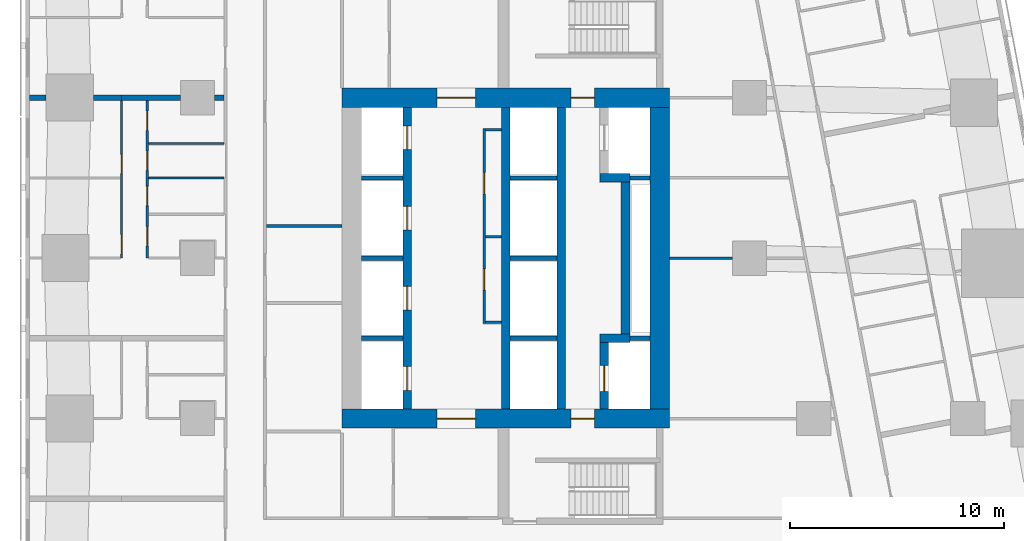
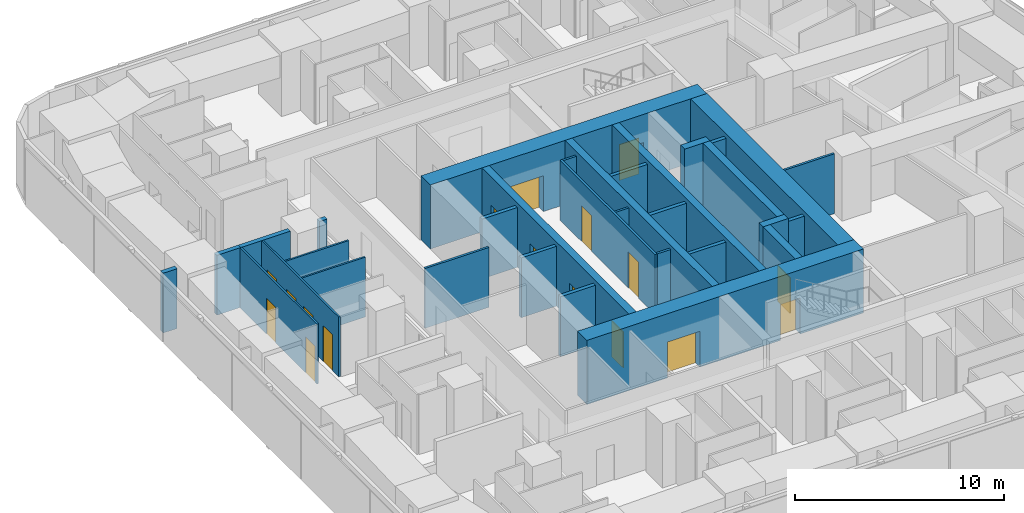
# One storey, part 6 of 16: 32 walls, 17 doors, 17 openings.
"""IFC4 building model written with IfcOpenShell, lengths in metres."""

from ifc_helpers import new_model, si_unit, direction, frame, frame_2d, origin, place, context, subcontext, project, spatial, rectangle, extrude, material, layer, layer_set, type_object, element, fill, save


model = new_model("IFC4")

# Units and contexts
model_context = context("Model", 3, precision=1e-05, world=origin(), true_north=direction((0.0, 1.0)))
body_context = subcontext(model_context, "Body", "Model", "MODEL_VIEW")
ifc_project = project(units=[si_unit("LENGTHUNIT", "METRE"), si_unit("AREAUNIT", "SQUARE_METRE"), si_unit("VOLUMEUNIT", "CUBIC_METRE"), si_unit("PLANEANGLEUNIT", "RADIAN"), si_unit("MASSUNIT", "GRAM", prefix="KILO")], contexts=[model_context])

# Site, building, storey
site_placement = place(None, origin())
site = spatial("IfcSite", under=ifc_project, at=site_placement, CompositionType="ELEMENT")
building_placement = place(site_placement, origin())
building = spatial("IfcBuilding", under=site, at=building_placement, Name="Sheger Commons Tower", CompositionType="ELEMENT")
storey_placement = place(building_placement, frame((0.0, 0.0, 89.14990234375)))
storey = spatial("IfcBuildingStorey", under=building, at=storey_placement, Name="L22", CompositionType="ELEMENT", Elevation=89.14990234375)

# Wall, openings, doors
ifc_material_1 = material(Name="Concrete C50/60", Category="concrete")
ifc_layer_1 = layer(ifc_material_1, 0.39990234375)
ifc_layer_set_1 = layer_set([ifc_layer_1], Name="CORE INNER WALL 400")
wall_type_1 = type_object("IfcWallType", Name="CORE INNER WALL 400", PredefinedType="SHEAR", material=ifc_layer_set_1)
wall_1_placement = place(storey_placement, frame((17.0, 15.449951171875, 0.0), z_axis=(0.0, 0.0, 1.0), x_axis=(0.0, 1.0, 0.0)))
wall_1 = element("IfcWall", 1, at=wall_1_placement, inside=storey, type_object=wall_type_1, Name="Core inner wall A L22", PredefinedType="SHEAR", context=body_context, shape_type="SweptSolid", body=[
    extrude(rectangle(XDim=14.10009765625, YDim=0.39990234375, at=frame_2d((7.050048828125, 0.0))), origin(), (0.0, 0.0, 1.0), 3.75),
])
opening_1_placement = place(wall_1_placement, frame((0.875, 0.0, 0.0)))
opening_1 = element("IfcOpeningElement", 2, at=opening_1_placement, cuts=wall_1, Name="Opening LD", PredefinedType="OPENING", context=body_context, shape_type="SweptSolid", body=[
    extrude(rectangle(XDim=1.10009765625, YDim=2.10009765625, at=frame_2d((0.550048828125, 1.050048828125))), frame((0.0, 0.2099609375, 0.0), z_axis=(0.0, -1.0, 0.0), x_axis=(1.0, 0.0, 0.0)), (0.0, 0.0, 1.0), 0.419921875),
])
opening_2_placement = place(wall_1_placement, frame((4.625, 0.0, 0.0)))
opening_2 = element("IfcOpeningElement", 3, at=opening_2_placement, cuts=wall_1, Name="Opening LD", PredefinedType="OPENING", context=body_context, shape_type="SweptSolid", body=[
    extrude(rectangle(XDim=1.10009765625, YDim=2.10009765625, at=frame_2d((0.550048828125, 1.050048828125))), frame((0.0, 0.2099609375, 0.0), z_axis=(0.0, -1.0, 0.0), x_axis=(1.0, 0.0, 0.0)), (0.0, 0.0, 1.0), 0.419921875),
])
opening_3_placement = place(wall_1_placement, frame((8.375, 0.0, 0.0)))
opening_3 = element("IfcOpeningElement", 4, at=opening_3_placement, cuts=wall_1, Name="Opening LD", PredefinedType="OPENING", context=body_context, shape_type="SweptSolid", body=[
    extrude(rectangle(XDim=1.10009765625, YDim=2.10009765625, at=frame_2d((0.550048828125, 1.050048828125))), frame((0.0, 0.2099609375, 0.0), z_axis=(0.0, -1.0, 0.0), x_axis=(1.0, 0.0, 0.0)), (0.0, 0.0, 1.0), 0.419921875),
])
opening_4_placement = place(wall_1_placement, frame((12.125, 0.0, 0.0)))
opening_4 = element("IfcOpeningElement", 5, at=opening_4_placement, cuts=wall_1, Name="Opening LD", PredefinedType="OPENING", context=body_context, shape_type="SweptSolid", body=[
    extrude(rectangle(XDim=1.10009765625, YDim=2.10009765625, at=frame_2d((0.550048828125, 1.050048828125))), frame((0.0, 0.2099609375, 0.0), z_axis=(0.0, -1.0, 0.0), x_axis=(1.0, 0.0, 0.0)), (0.0, 0.0, 1.0), 0.419921875),
])
ifc_material_2 = material(Name="Steel door set, fire rated", Category="steel")
door_type_1 = type_object("IfcDoorType", Name="LIFT LANDING DOOR 1100x2100", OperationType="DOUBLE_DOOR_SLIDING", PredefinedType="DOOR", material=ifc_material_2)
door_1_placement = place(opening_1_placement, origin())
door_1 = element("IfcDoor", 6, at=door_1_placement, inside=storey, type_object=door_type_1, Name="Lift LA1 landing door", OperationType="DOUBLE_DOOR_SLIDING", OverallHeight=2.10009765625, OverallWidth=1.10009765625, PredefinedType="DOOR", context=body_context, shape_type="SweptSolid", body=[
    extrude(rectangle(XDim=1.10009765625, YDim=2.10009765625, at=frame_2d((0.550048828125, 1.050048828125))), frame((0.0, 0.02490234375, 0.0), z_axis=(0.0, -1.0, 0.0), x_axis=(1.0, 0.0, 0.0)), (0.0, 0.0, 1.0), 0.050048828125),
])
fill(opening_1, door_1)
door_2_placement = place(opening_2_placement, origin())
door_2 = element("IfcDoor", 7, at=door_2_placement, inside=storey, type_object=door_type_1, Name="Lift LA2 landing door", OperationType="DOUBLE_DOOR_SLIDING", OverallHeight=2.10009765625, OverallWidth=1.10009765625, PredefinedType="DOOR", context=body_context, shape_type="SweptSolid", body=[
    extrude(rectangle(XDim=1.10009765625, YDim=2.10009765625, at=frame_2d((0.550048828125, 1.050048828125))), frame((0.0, 0.02490234375, 0.0), z_axis=(0.0, -1.0, 0.0), x_axis=(1.0, 0.0, 0.0)), (0.0, 0.0, 1.0), 0.050048828125),
])
fill(opening_2, door_2)
door_3_placement = place(opening_3_placement, origin())
door_3 = element("IfcDoor", 8, at=door_3_placement, inside=storey, type_object=door_type_1, Name="Lift LA3 landing door", OperationType="DOUBLE_DOOR_SLIDING", OverallHeight=2.10009765625, OverallWidth=1.10009765625, PredefinedType="DOOR", context=body_context, shape_type="SweptSolid", body=[
    extrude(rectangle(XDim=1.10009765625, YDim=2.10009765625, at=frame_2d((0.550048828125, 1.050048828125))), frame((0.0, 0.02490234375, 0.0), z_axis=(0.0, -1.0, 0.0), x_axis=(1.0, 0.0, 0.0)), (0.0, 0.0, 1.0), 0.050048828125),
])
fill(opening_3, door_3)
door_4_placement = place(opening_4_placement, origin())
door_4 = element("IfcDoor", 9, at=door_4_placement, inside=storey, type_object=door_type_1, Name="Lift LA4 landing door", OperationType="DOUBLE_DOOR_SLIDING", OverallHeight=2.10009765625, OverallWidth=1.10009765625, PredefinedType="DOOR", context=body_context, shape_type="SweptSolid", body=[
    extrude(rectangle(XDim=1.10009765625, YDim=2.10009765625, at=frame_2d((0.550048828125, 1.050048828125))), frame((0.0, 0.02490234375, 0.0), z_axis=(0.0, -1.0, 0.0), x_axis=(1.0, 0.0, 0.0)), (0.0, 0.0, 1.0), 0.050048828125),
])
fill(opening_4, door_4)

# Walls
for number, where, z_axis, x_axis, name in (
    (10, (21.60009765625, 15.449951171875, 0.0), (0.0, 0.0, 1.0), (0.0, 1.0, 0.0), "Core inner wall L L22"),
    (11, (24.199951171875, 15.449951171875, 0.0), (0.0, 0.0, 1.0), (0.0, 1.0, 0.0), "Core inner wall B L22"),
):
    element("IfcWall", number, at=place(storey_placement, frame(where, z_axis=z_axis, x_axis=x_axis)), inside=storey, type_object=wall_type_1, Name=name, PredefinedType="SHEAR", context=body_context, shape_type="SweptSolid", body=[
        extrude(rectangle(XDim=14.10009765625, YDim=0.39990234375, at=frame_2d((7.050048828125, 0.0))), origin(), (0.0, 0.0, 1.0), 3.75),
    ])

# Wall, opening, door
wall_2_placement = place(storey_placement, frame((26.199951171875, 15.449951171875, 0.0), z_axis=(0.0, 0.0, 1.0), x_axis=(0.0, 1.0, 0.0)))
wall_2 = element("IfcWall", 12, at=wall_2_placement, inside=storey, type_object=wall_type_1, Name="Core inner wall F L22", PredefinedType="SHEAR", context=body_context, shape_type="SweptSolid", body=[
    extrude(rectangle(XDim=3.10009765625, YDim=0.39990234375, at=frame_2d((1.550048828125, 0.0))), origin(), (0.0, 0.0, 1.0), 3.75),
])
opening_5_placement = place(wall_2_placement, frame((0.824951171875, 0.0, 0.0)))
opening_5 = element("IfcOpeningElement", 13, at=opening_5_placement, cuts=wall_2, Name="Opening LD2", PredefinedType="OPENING", context=body_context, shape_type="SweptSolid", body=[
    extrude(rectangle(XDim=1.199951171875, YDim=2.10009765625, at=frame_2d((0.60009765625, 1.050048828125))), frame((0.0, 0.2099609375, 0.0), z_axis=(0.0, -1.0, 0.0), x_axis=(1.0, 0.0, 0.0)), (0.0, 0.0, 1.0), 0.419921875),
])
ifc_material_3 = material(Name="Steel door set, fire rated", Category="steel")
door_type_2 = type_object("IfcDoorType", Name="FIREFIGHTING LIFT LANDING DOOR 1200x2100", OperationType="DOUBLE_DOOR_SLIDING", PredefinedType="DOOR", material=ifc_material_3)
door_5_placement = place(opening_5_placement, origin())
door_5 = element("IfcDoor", 14, at=door_5_placement, inside=storey, type_object=door_type_2, Name="Lift FL1 landing door", OperationType="DOUBLE_DOOR_SLIDING", OverallHeight=2.10009765625, OverallWidth=1.199951171875, PredefinedType="DOOR", context=body_context, shape_type="SweptSolid", body=[
    extrude(rectangle(XDim=1.199951171875, YDim=2.10009765625, at=frame_2d((0.60009765625, 1.050048828125))), frame((0.0, 0.02490234375, 0.0), z_axis=(0.0, -1.0, 0.0), x_axis=(1.0, 0.0, 0.0)), (0.0, 0.0, 1.0), 0.050048828125),
])
fill(opening_5, door_5)

# Walls
wall_3_placement = place(storey_placement, frame((26.0, 18.75, 0.0), z_axis=(0.0, 0.0, 1.0), x_axis=(1.0, 0.0, 0.0)))
element("IfcWall", 15, at=wall_3_placement, inside=storey, type_object=wall_type_1, Name="Core inner wall F south return L22", PredefinedType="SHEAR", context=body_context, shape_type="SweptSolid", body=[
    extrude(rectangle(XDim=1.39990234375, YDim=0.39990234375, at=frame_2d((0.699951171875, 0.0))), origin(), (0.0, 0.0, 1.0), 3.75),
])
wall_4_placement = place(storey_placement, frame((27.199951171875, 18.949951171875, 0.0), z_axis=(0.0, 0.0, 1.0), x_axis=(0.0, 1.0, 0.0)))
element("IfcWall", 16, at=wall_4_placement, inside=storey, type_object=wall_type_1, Name="Core inner wall F middle L22", PredefinedType="SHEAR", context=body_context, shape_type="SweptSolid", body=[
    extrude(rectangle(XDim=7.10009765625, YDim=0.39990234375, at=frame_2d((3.550048828125, 0.0))), origin(), (0.0, 0.0, 1.0), 3.75),
])
wall_5_placement = place(storey_placement, frame((26.0, 26.25, 0.0), z_axis=(0.0, 0.0, 1.0), x_axis=(1.0, 0.0, 0.0)))
element("IfcWall", 17, at=wall_5_placement, inside=storey, type_object=wall_type_1, Name="Core inner wall F north return L22", PredefinedType="SHEAR", context=body_context, shape_type="SweptSolid", body=[
    extrude(rectangle(XDim=1.39990234375, YDim=0.39990234375, at=frame_2d((0.699951171875, 0.0))), origin(), (0.0, 0.0, 1.0), 3.75),
])

# Wall, openings, doors
ifc_material_4 = material(Name="Concrete C50/60", Category="concrete")
ifc_layer_2 = layer(ifc_material_4, 0.89990234375)
ifc_layer_set_2 = layer_set([ifc_layer_2], Name="CORE WALL 900")
wall_type_2 = type_object("IfcWallType", Name="CORE WALL 900", PredefinedType="SHEAR", material=ifc_layer_set_2)
wall_6_placement = place(storey_placement, frame((13.949951171875, 15.0, 0.0), z_axis=(0.0, 0.0, 1.0), x_axis=(1.0, 0.0, 0.0)))
wall_6 = element("IfcWall", 18, at=wall_6_placement, inside=storey, type_object=wall_type_2, Name="Core wall south L22", PredefinedType="SHEAR", context=body_context, shape_type="SweptSolid", body=[
    extrude(rectangle(XDim=15.300048828125, YDim=0.89990234375, at=frame_2d((7.64990234375, 0.0))), origin(), (0.0, 0.0, 1.0), 3.75),
])
opening_6_placement = place(wall_6_placement, frame((4.449951171875, 0.0, 0.0)))
opening_6 = element("IfcOpeningElement", 19, at=opening_6_placement, cuts=wall_6, Name="Opening D6", PredefinedType="OPENING", context=body_context, shape_type="SweptSolid", body=[
    extrude(rectangle(XDim=1.800048828125, YDim=2.10009765625, at=frame_2d((0.89990234375, 1.050048828125))), frame((0.0, 0.4599609375, 0.0), z_axis=(0.0, -1.0, 0.0), x_axis=(1.0, 0.0, 0.0)), (0.0, 0.0, 1.0), 0.919921875),
])
opening_7_placement = place(wall_6_placement, frame((10.699951171875, 0.0, 0.0)))
opening_7 = element("IfcOpeningElement", 20, at=opening_7_placement, cuts=wall_6, Name="Opening D5", PredefinedType="OPENING", context=body_context, shape_type="SweptSolid", body=[
    extrude(rectangle(XDim=1.10009765625, YDim=2.10009765625, at=frame_2d((0.550048828125, 1.050048828125))), frame((0.0, 0.4599609375, 0.0), z_axis=(0.0, -1.0, 0.0), x_axis=(1.0, 0.0, 0.0)), (0.0, 0.0, 1.0), 0.919921875),
])
ifc_material_5 = material(Name="Steel door set, fire rated", Category="steel")
door_type_3 = type_object("IfcDoorType", Name="LOBBY DOUBLE DOOR 1800x2100", OperationType="DOUBLE_DOOR_SINGLE_SWING", PredefinedType="DOOR", material=ifc_material_5)
door_6_placement = place(opening_6_placement, origin())
door_6 = element("IfcDoor", 21, at=door_6_placement, inside=storey, type_object=door_type_3, Name="Lift lobby door", OperationType="DOUBLE_DOOR_SINGLE_SWING", OverallHeight=2.10009765625, OverallWidth=1.800048828125, PredefinedType="DOOR", context=body_context, shape_type="SweptSolid", body=[
    extrude(rectangle(XDim=1.800048828125, YDim=2.10009765625, at=frame_2d((0.89990234375, 1.050048828125))), frame((0.0, 0.02490234375, 0.0), z_axis=(0.0, -1.0, 0.0), x_axis=(1.0, 0.0, 0.0)), (0.0, 0.0, 1.0), 0.050048828125),
])
fill(opening_6, door_6)
ifc_material_6 = material(Name="Steel door set, fire rated", Category="steel")
door_type_4 = type_object("IfcDoorType", Name="STAIR DOOR 1100x2100", OperationType="NOTDEFINED", PredefinedType="DOOR", material=ifc_material_6)
door_7_placement = place(opening_7_placement, origin())
door_7 = element("IfcDoor", 22, at=door_7_placement, inside=storey, type_object=door_type_4, Name="Fire-fighting lobby door", OperationType="SINGLE_SWING_LEFT", OverallHeight=2.10009765625, OverallWidth=1.10009765625, PredefinedType="DOOR", context=body_context, shape_type="SweptSolid", body=[
    extrude(rectangle(XDim=1.10009765625, YDim=2.10009765625, at=frame_2d((0.550048828125, 1.050048828125))), frame((0.0, 0.02490234375, 0.0), z_axis=(0.0, -1.0, 0.0), x_axis=(1.0, 0.0, 0.0)), (0.0, 0.0, 1.0), 0.050048828125),
])
fill(opening_7, door_7)

wall_7_placement = place(storey_placement, frame((13.949951171875, 30.0, 0.0), z_axis=(0.0, 0.0, 1.0), x_axis=(1.0, 0.0, 0.0)))
wall_7 = element("IfcWall", 23, at=wall_7_placement, inside=storey, type_object=wall_type_2, Name="Core wall north L22", PredefinedType="SHEAR", context=body_context, shape_type="SweptSolid", body=[
    extrude(rectangle(XDim=15.300048828125, YDim=0.89990234375, at=frame_2d((7.64990234375, 0.0))), origin(), (0.0, 0.0, 1.0), 3.75),
])
opening_8_placement = place(wall_7_placement, frame((4.449951171875, 0.0, 0.0)))
opening_8 = element("IfcOpeningElement", 24, at=opening_8_placement, cuts=wall_7, Name="Opening D6", PredefinedType="OPENING", context=body_context, shape_type="SweptSolid", body=[
    extrude(rectangle(XDim=1.800048828125, YDim=2.10009765625, at=frame_2d((0.89990234375, 1.050048828125))), frame((0.0, 0.4599609375, 0.0), z_axis=(0.0, -1.0, 0.0), x_axis=(1.0, 0.0, 0.0)), (0.0, 0.0, 1.0), 0.919921875),
])
opening_9_placement = place(wall_7_placement, frame((10.699951171875, 0.0, 0.0)))
opening_9 = element("IfcOpeningElement", 25, at=opening_9_placement, cuts=wall_7, Name="Opening D5", PredefinedType="OPENING", context=body_context, shape_type="SweptSolid", body=[
    extrude(rectangle(XDim=1.10009765625, YDim=2.10009765625, at=frame_2d((0.550048828125, 1.050048828125))), frame((0.0, 0.4599609375, 0.0), z_axis=(0.0, -1.0, 0.0), x_axis=(1.0, 0.0, 0.0)), (0.0, 0.0, 1.0), 0.919921875),
])
door_8_placement = place(opening_8_placement, origin())
door_8 = element("IfcDoor", 26, at=door_8_placement, inside=storey, type_object=door_type_3, Name="Lift lobby door", OperationType="DOUBLE_DOOR_SINGLE_SWING", OverallHeight=2.10009765625, OverallWidth=1.800048828125, PredefinedType="DOOR", context=body_context, shape_type="SweptSolid", body=[
    extrude(rectangle(XDim=1.800048828125, YDim=2.10009765625, at=frame_2d((0.89990234375, 1.050048828125))), frame((0.0, 0.02490234375, 0.0), z_axis=(0.0, -1.0, 0.0), x_axis=(1.0, 0.0, 0.0)), (0.0, 0.0, 1.0), 0.050048828125),
])
fill(opening_8, door_8)
door_9_placement = place(opening_9_placement, origin())
door_9 = element("IfcDoor", 27, at=door_9_placement, inside=storey, type_object=door_type_4, Name="Fire-fighting lobby door", OperationType="SINGLE_SWING_LEFT", OverallHeight=2.10009765625, OverallWidth=1.10009765625, PredefinedType="DOOR", context=body_context, shape_type="SweptSolid", body=[
    extrude(rectangle(XDim=1.10009765625, YDim=2.10009765625, at=frame_2d((0.550048828125, 1.050048828125))), frame((0.0, 0.02490234375, 0.0), z_axis=(0.0, -1.0, 0.0), x_axis=(1.0, 0.0, 0.0)), (0.0, 0.0, 1.0), 0.050048828125),
])
fill(opening_9, door_9)

# Walls
wall_8_placement = place(storey_placement, frame((28.800048828125, 15.449951171875, 0.0), z_axis=(0.0, 0.0, 1.0), x_axis=(0.0, 1.0, 0.0)))
element("IfcWall", 28, at=wall_8_placement, inside=storey, type_object=wall_type_2, Name="Core wall east L22", PredefinedType="SHEAR", context=body_context, shape_type="SweptSolid", body=[
    extrude(rectangle(XDim=14.10009765625, YDim=0.89990234375, at=frame_2d((7.050048828125, 0.0))), origin(), (0.0, 0.0, 1.0), 3.75),
])
ifc_material_7 = material(Name="Dense concrete block masonry, plastered both sides (separating wall between flats)", Category="masonry")
ifc_layer_3 = layer(ifc_material_7, 0.25)
ifc_layer_set_3 = layer_set([ifc_layer_3], Name="DEMISING WALL 250")
wall_type_3 = type_object("IfcWallType", Name="DEMISING WALL 250", PredefinedType="SOLIDWALL", material=ifc_layer_set_3)
wall_9_placement = place(storey_placement, frame((-0.64990234375, 30.0, 0.0), z_axis=(0.0, 0.0, 1.0), x_axis=(1.0, 0.0, 0.0)))
element("IfcWall", 29, at=wall_9_placement, inside=storey, type_object=wall_type_3, Name="Demising wall L22", PredefinedType="SOLIDWALL", context=body_context, shape_type="SweptSolid", body=[
    extrude(rectangle(XDim=0.77392578125, YDim=0.25, at=frame_2d((0.386962890625, 0.0))), origin(), (0.0, 0.0, 1.0), 3.5),
])
wall_10_placement = place(storey_placement, frame((2.325927734375, 30.0, 0.0), z_axis=(0.0, 0.0, 1.0), x_axis=(1.0, 0.0, 0.0)))
element("IfcWall", 30, at=wall_10_placement, inside=storey, type_object=wall_type_3, Name="Demising wall L22", PredefinedType="SOLIDWALL", context=body_context, shape_type="SweptSolid", body=[
    extrude(rectangle(XDim=1.323974609375, YDim=0.25, at=frame_2d((0.662109375, 0.0))), origin(), (0.0, 0.0, 1.0), 3.5),
])
wall_11_placement = place(storey_placement, frame((3.64990234375, 30.0, 0.0), z_axis=(0.0, 0.0, 1.0), x_axis=(1.0, 0.0, 0.0)))
element("IfcWall", 31, at=wall_11_placement, inside=storey, type_object=wall_type_3, Name="Demising wall L22", PredefinedType="SOLIDWALL", context=body_context, shape_type="SweptSolid", body=[
    extrude(rectangle(XDim=2.7490234375, YDim=0.25, at=frame_2d((1.37451171875, 0.0))), origin(), (0.0, 0.0, 1.0), 3.5),
])
wall_12_placement = place(storey_placement, frame((8.0009765625, 30.0, 0.0), z_axis=(0.0, 0.0, 1.0), x_axis=(1.0, 0.0, 0.0)))
element("IfcWall", 32, at=wall_12_placement, inside=storey, type_object=wall_type_3, Name="Demising wall L22", PredefinedType="SOLIDWALL", context=body_context, shape_type="SweptSolid", body=[
    extrude(rectangle(XDim=0.424072265625, YDim=0.25, at=frame_2d((0.2119140625, 0.0))), origin(), (0.0, 0.0, 1.0), 3.5),
])

# Wall, openings, doors
ifc_material_8 = material(Name="Gypsum board on steel studs", Category="steel")
ifc_layer_4 = layer(ifc_material_8, 0.10009765625)
ifc_layer_set_4 = layer_set([ifc_layer_4], Name="PARTITION 100")
wall_type_4 = type_object("IfcWallType", Name="PARTITION 100", PredefinedType="PARTITIONING", material=ifc_layer_set_4)
wall_13_placement = place(storey_placement, frame((3.64990234375, 22.5, 0.0), z_axis=(0.0, 0.0, 1.0), x_axis=(0.0, 1.0, 0.0)))
wall_13 = element("IfcWall", 33, at=wall_13_placement, inside=storey, type_object=wall_type_4, Name="Partition L22", PredefinedType="PARTITIONING", context=body_context, shape_type="SweptSolid", body=[
    extrude(rectangle(XDim=7.375, YDim=0.10009765625, at=frame_2d((3.6875, 0.0))), origin(), (0.0, 0.0, 1.0), 3.5),
])
opening_10_placement = place(wall_13_placement, frame((0.199951171875, 0.0, 0.0)))
opening_10 = element("IfcOpeningElement", 34, at=opening_10_placement, cuts=wall_13, Name="Opening D2", PredefinedType="OPENING", context=body_context, shape_type="SweptSolid", body=[
    extrude(rectangle(XDim=0.89990234375, YDim=2.10009765625, at=frame_2d((0.449951171875, 1.050048828125))), frame((0.0, 0.06005859375, 0.0), z_axis=(0.0, -1.0, 0.0), x_axis=(1.0, 0.0, 0.0)), (0.0, 0.0, 1.0), 0.1201171875),
])
opening_11_placement = place(wall_13_placement, frame((3.949951171875, 0.0, 0.0)))
opening_11 = element("IfcOpeningElement", 35, at=opening_11_placement, cuts=wall_13, Name="Opening D2", PredefinedType="OPENING", context=body_context, shape_type="SweptSolid", body=[
    extrude(rectangle(XDim=0.89990234375, YDim=2.10009765625, at=frame_2d((0.449951171875, 1.050048828125))), frame((0.0, 0.06005859375, 0.0), z_axis=(0.0, -1.0, 0.0), x_axis=(1.0, 0.0, 0.0)), (0.0, 0.0, 1.0), 0.1201171875),
])
ifc_material_9 = material(Name="Timber door set", Category="wood")
door_type_5 = type_object("IfcDoorType", Name="INTERNAL DOOR 900x2100", OperationType="NOTDEFINED", PredefinedType="DOOR", material=ifc_material_9)
door_10_placement = place(opening_10_placement, origin())
door_10 = element("IfcDoor", 36, at=door_10_placement, inside=storey, type_object=door_type_5, Name="Main bedroom door", OperationType="SINGLE_SWING_LEFT", OverallHeight=2.10009765625, OverallWidth=0.89990234375, PredefinedType="DOOR", context=body_context, shape_type="SweptSolid", body=[
    extrude(rectangle(XDim=0.89990234375, YDim=2.10009765625, at=frame_2d((0.449951171875, 1.050048828125))), frame((0.0, 0.02490234375, 0.0), z_axis=(0.0, -1.0, 0.0), x_axis=(1.0, 0.0, 0.0)), (0.0, 0.0, 1.0), 0.050048828125),
])
fill(opening_10, door_10)
door_11_placement = place(opening_11_placement, origin())
door_11 = element("IfcDoor", 37, at=door_11_placement, inside=storey, type_object=door_type_5, Name="Bedroom 2 door", OperationType="SINGLE_SWING_LEFT", OverallHeight=2.10009765625, OverallWidth=0.89990234375, PredefinedType="DOOR", context=body_context, shape_type="SweptSolid", body=[
    extrude(rectangle(XDim=0.89990234375, YDim=2.10009765625, at=frame_2d((0.449951171875, 1.050048828125))), frame((0.0, 0.02490234375, 0.0), z_axis=(0.0, -1.0, 0.0), x_axis=(1.0, 0.0, 0.0)), (0.0, 0.0, 1.0), 0.050048828125),
])
fill(opening_11, door_11)

wall_14_placement = place(storey_placement, frame((4.85009765625, 22.5, 0.0), z_axis=(0.0, 0.0, 1.0), x_axis=(0.0, 1.0, 0.0)))
wall_14 = element("IfcWall", 38, at=wall_14_placement, inside=storey, type_object=wall_type_4, Name="Partition L22", PredefinedType="PARTITIONING", context=body_context, shape_type="SweptSolid", body=[
    extrude(rectangle(XDim=7.375, YDim=0.10009765625, at=frame_2d((3.6875, 0.0))), origin(), (0.0, 0.0, 1.0), 3.5),
])
opening_12_placement = place(wall_14_placement, frame((0.574951171875, 0.0, 0.0)))
opening_12 = element("IfcOpeningElement", 39, at=opening_12_placement, cuts=wall_14, Name="Opening D2", PredefinedType="OPENING", context=body_context, shape_type="SweptSolid", body=[
    extrude(rectangle(XDim=0.89990234375, YDim=2.10009765625, at=frame_2d((0.449951171875, 1.050048828125))), frame((0.0, 0.06005859375, 0.0), z_axis=(0.0, -1.0, 0.0), x_axis=(1.0, 0.0, 0.0)), (0.0, 0.0, 1.0), 0.1201171875),
])
opening_13_placement = place(wall_14_placement, frame((4.10009765625, 0.0, 0.0)))
opening_13 = element("IfcOpeningElement", 40, at=opening_13_placement, cuts=wall_14, Name="Opening D2", PredefinedType="OPENING", context=body_context, shape_type="SweptSolid", body=[
    extrude(rectangle(XDim=0.89990234375, YDim=2.10009765625, at=frame_2d((0.449951171875, 1.050048828125))), frame((0.0, 0.06005859375, 0.0), z_axis=(0.0, -1.0, 0.0), x_axis=(1.0, 0.0, 0.0)), (0.0, 0.0, 1.0), 0.1201171875),
])
opening_14_placement = place(wall_14_placement, frame((2.449951171875, 0.0, 0.0)))
opening_14 = element("IfcOpeningElement", 41, at=opening_14_placement, cuts=wall_14, Name="Opening D2", PredefinedType="OPENING", context=body_context, shape_type="SweptSolid", body=[
    extrude(rectangle(XDim=0.89990234375, YDim=2.10009765625, at=frame_2d((0.449951171875, 1.050048828125))), frame((0.0, 0.06005859375, 0.0), z_axis=(0.0, -1.0, 0.0), x_axis=(1.0, 0.0, 0.0)), (0.0, 0.0, 1.0), 0.1201171875),
])
opening_15_placement = place(wall_14_placement, frame((5.97509765625, 0.0, 0.0)))
opening_15 = element("IfcOpeningElement", 42, at=opening_15_placement, cuts=wall_14, Name="Opening D2", PredefinedType="OPENING", context=body_context, shape_type="SweptSolid", body=[
    extrude(rectangle(XDim=0.89990234375, YDim=2.10009765625, at=frame_2d((0.449951171875, 1.050048828125))), frame((0.0, 0.06005859375, 0.0), z_axis=(0.0, -1.0, 0.0), x_axis=(1.0, 0.0, 0.0)), (0.0, 0.0, 1.0), 0.1201171875),
])
door_12_placement = place(opening_12_placement, origin())
door_12 = element("IfcDoor", 43, at=door_12_placement, inside=storey, type_object=door_type_5, Name="Bathroom door", OperationType="SINGLE_SWING_RIGHT", OverallHeight=2.10009765625, OverallWidth=0.89990234375, PredefinedType="DOOR", context=body_context, shape_type="SweptSolid", body=[
    extrude(rectangle(XDim=0.89990234375, YDim=2.10009765625, at=frame_2d((0.449951171875, 1.050048828125))), frame((0.0, 0.02490234375, 0.0), z_axis=(0.0, -1.0, 0.0), x_axis=(1.0, 0.0, 0.0)), (0.0, 0.0, 1.0), 0.050048828125),
])
fill(opening_12, door_12)
door_13_placement = place(opening_13_placement, origin())
door_13 = element("IfcDoor", 44, at=door_13_placement, inside=storey, type_object=door_type_5, Name="Shower room door", OperationType="SINGLE_SWING_RIGHT", OverallHeight=2.10009765625, OverallWidth=0.89990234375, PredefinedType="DOOR", context=body_context, shape_type="SweptSolid", body=[
    extrude(rectangle(XDim=0.89990234375, YDim=2.10009765625, at=frame_2d((0.449951171875, 1.050048828125))), frame((0.0, 0.02490234375, 0.0), z_axis=(0.0, -1.0, 0.0), x_axis=(1.0, 0.0, 0.0)), (0.0, 0.0, 1.0), 0.050048828125),
])
fill(opening_13, door_13)
door_14_placement = place(opening_14_placement, origin())
door_14 = element("IfcDoor", 45, at=door_14_placement, inside=storey, type_object=door_type_5, Name="Store door", OperationType="SINGLE_SWING_RIGHT", OverallHeight=2.10009765625, OverallWidth=0.89990234375, PredefinedType="DOOR", context=body_context, shape_type="SweptSolid", body=[
    extrude(rectangle(XDim=0.89990234375, YDim=2.10009765625, at=frame_2d((0.449951171875, 1.050048828125))), frame((0.0, 0.02490234375, 0.0), z_axis=(0.0, -1.0, 0.0), x_axis=(1.0, 0.0, 0.0)), (0.0, 0.0, 1.0), 0.050048828125),
])
fill(opening_14, door_14)
door_15_placement = place(opening_15_placement, origin())
door_15 = element("IfcDoor", 46, at=door_15_placement, inside=storey, type_object=door_type_5, Name="Store door", OperationType="SINGLE_SWING_LEFT", OverallHeight=2.10009765625, OverallWidth=0.89990234375, PredefinedType="DOOR", context=body_context, shape_type="SweptSolid", body=[
    extrude(rectangle(XDim=0.89990234375, YDim=2.10009765625, at=frame_2d((0.449951171875, 1.050048828125))), frame((0.0, 0.02490234375, 0.0), z_axis=(0.0, -1.0, 0.0), x_axis=(1.0, 0.0, 0.0)), (0.0, 0.0, 1.0), 0.050048828125),
])
fill(opening_15, door_15)

# Walls
for number, where, z_axis, x_axis, name in (
    (47, (4.89990234375, 26.25, 0.0), (0.0, 0.0, 1.0), (1.0, 0.0, 0.0), "Partition L22"),
    (48, (4.89990234375, 27.85009765625, 0.0), (0.0, 0.0, 1.0), (1.0, 0.0, 0.0), "Partition L22"),
):
    element("IfcWall", number, at=place(storey_placement, frame(where, z_axis=z_axis, x_axis=x_axis)), inside=storey, type_object=wall_type_4, Name=name, PredefinedType="PARTITIONING", context=body_context, shape_type="SweptSolid", body=[
        extrude(rectangle(XDim=3.525146484375, YDim=0.10009765625, at=frame_2d((1.7626953125, 0.0))), origin(), (0.0, 0.0, 1.0), 3.5),
    ])
ifc_material_10 = material(Name="Gypsum board on steel studs, two layers each side, fire rated", Category="steel")
ifc_layer_5 = layer(ifc_material_10, 0.125)
ifc_layer_set_5 = layer_set([ifc_layer_5], Name="SERVICE WALL 125")
wall_type_5 = type_object("IfcWallType", Name="SERVICE WALL 125", PredefinedType="PARTITIONING", material=ifc_layer_set_5)
wall_15_placement = place(storey_placement, frame((10.4130859375, 24.0, 0.0), z_axis=(0.0, 0.0, 1.0), x_axis=(1.0, 0.0, 0.0)))
element("IfcWall", 49, at=wall_15_placement, inside=storey, type_object=wall_type_5, Name="Service room wall L22", PredefinedType="PARTITIONING", context=body_context, shape_type="SweptSolid", body=[
    extrude(rectangle(XDim=3.536865234375, YDim=0.125, at=frame_2d((1.7685546875, 0.0))), origin(), (0.0, 0.0, 1.0), 3.5),
])
wall_16_placement = place(storey_placement, frame((29.25, 22.5, 0.0), z_axis=(0.0, 0.0, 1.0), x_axis=(1.0, 0.0, 0.0)))
element("IfcWall", 50, at=wall_16_placement, inside=storey, type_object=wall_type_5, Name="Service room wall L22", PredefinedType="PARTITIONING", context=body_context, shape_type="SweptSolid", body=[
    extrude(rectangle(XDim=2.948974609375, YDim=0.125, at=frame_2d((1.474609375, 0.0))), origin(), (0.0, 0.0, 1.0), 3.5),
])

# Wall, openings, doors
wall_17_placement = place(storey_placement, frame((20.60009765625, 19.43798828125, 0.0), z_axis=(0.0, 0.0, 1.0), x_axis=(0.0, 1.0, 0.0)))
wall_17 = element("IfcWall", 51, at=wall_17_placement, inside=storey, type_object=wall_type_5, Name="Service room wall L22", PredefinedType="PARTITIONING", context=body_context, shape_type="SweptSolid", body=[
    extrude(rectangle(XDim=9.1240234375, YDim=0.125, at=frame_2d((4.56201171875, 0.0))), origin(), (0.0, 0.0, 1.0), 3.5),
])
opening_16_placement = place(wall_17_placement, frame((1.56201171875, 0.0, 0.0)))
opening_16 = element("IfcOpeningElement", 52, at=opening_16_placement, cuts=wall_17, Name="Opening D4", PredefinedType="OPENING", context=body_context, shape_type="SweptSolid", body=[
    extrude(rectangle(XDim=1.0, YDim=2.10009765625, at=frame_2d((0.5, 1.050048828125))), frame((0.0, 0.072509765625, 0.0), z_axis=(0.0, -1.0, 0.0), x_axis=(1.0, 0.0, 0.0)), (0.0, 0.0, 1.0), 0.14501953125),
])
opening_17_placement = place(wall_17_placement, frame((6.06201171875, 0.0, 0.0)))
opening_17 = element("IfcOpeningElement", 53, at=opening_17_placement, cuts=wall_17, Name="Opening D4", PredefinedType="OPENING", context=body_context, shape_type="SweptSolid", body=[
    extrude(rectangle(XDim=1.0, YDim=2.10009765625, at=frame_2d((0.5, 1.050048828125))), frame((0.0, 0.072509765625, 0.0), z_axis=(0.0, -1.0, 0.0), x_axis=(1.0, 0.0, 0.0)), (0.0, 0.0, 1.0), 0.14501953125),
])
ifc_material_11 = material(Name="Steel door set, fire rated", Category="steel")
door_type_6 = type_object("IfcDoorType", Name="SERVICE DOOR 1000x2100", OperationType="NOTDEFINED", PredefinedType="DOOR", material=ifc_material_11)
door_16_placement = place(opening_16_placement, origin())
door_16 = element("IfcDoor", 54, at=door_16_placement, inside=storey, type_object=door_type_6, Name="Housekeeping cupboard door", OperationType="SINGLE_SWING_LEFT", OverallHeight=2.10009765625, OverallWidth=1.0, PredefinedType="DOOR", context=body_context, shape_type="SweptSolid", body=[
    extrude(rectangle(XDim=1.0, YDim=2.10009765625, at=frame_2d((0.5, 1.050048828125))), frame((0.0, 0.02490234375, 0.0), z_axis=(0.0, -1.0, 0.0), x_axis=(1.0, 0.0, 0.0)), (0.0, 0.0, 1.0), 0.050048828125),
])
fill(opening_16, door_16)
door_17_placement = place(opening_17_placement, origin())
door_17 = element("IfcDoor", 55, at=door_17_placement, inside=storey, type_object=door_type_6, Name="Water meter cupboard door", OperationType="SINGLE_SWING_RIGHT", OverallHeight=2.10009765625, OverallWidth=1.0, PredefinedType="DOOR", context=body_context, shape_type="SweptSolid", body=[
    extrude(rectangle(XDim=1.0, YDim=2.10009765625, at=frame_2d((0.5, 1.050048828125))), frame((0.0, 0.02490234375, 0.0), z_axis=(0.0, -1.0, 0.0), x_axis=(1.0, 0.0, 0.0)), (0.0, 0.0, 1.0), 0.050048828125),
])
fill(opening_17, door_17)

# Walls
for number, where, z_axis, x_axis, name in (
    (56, (20.6630859375, 19.5, 0.0), (0.0, 0.0, 1.0), (1.0, 0.0, 0.0), "Service room wall L22"),
    (57, (20.6630859375, 28.5, 0.0), (0.0, 0.0, 1.0), (1.0, 0.0, 0.0), "Service room wall L22"),
    (58, (20.6630859375, 23.5, 0.0), (0.0, 0.0, 1.0), (1.0, 0.0, 0.0), "Service room wall L22"),
):
    element("IfcWall", number, at=place(storey_placement, frame(where, z_axis=z_axis, x_axis=x_axis)), inside=storey, type_object=wall_type_5, Name=name, PredefinedType="PARTITIONING", context=body_context, shape_type="SweptSolid", body=[
        extrude(rectangle(XDim=0.73681640625, YDim=0.125, at=frame_2d((0.368408203125, 0.0))), origin(), (0.0, 0.0, 1.0), 3.5),
    ])
ifc_material_12 = material(Name="Hollow concrete block masonry", Category="masonry")
ifc_layer_6 = layer(ifc_material_12, 0.199951171875)
ifc_layer_set_6 = layer_set([ifc_layer_6], Name="SHAFT WALL 200")
wall_type_6 = type_object("IfcWallType", Name="SHAFT WALL 200", PredefinedType="SOLIDWALL", material=ifc_layer_set_6)
wall_18_placement = place(storey_placement, frame((14.85009765625, 18.75, 0.0), z_axis=(0.0, 0.0, 1.0), x_axis=(1.0, 0.0, 0.0)))
element("IfcWall", 59, at=wall_18_placement, inside=storey, type_object=wall_type_6, Name="Lift shaft wall L22", PredefinedType="SOLIDWALL", context=body_context, shape_type="SweptSolid", body=[
    extrude(rectangle(XDim=1.949951171875, YDim=0.199951171875, at=frame_2d((0.97509765625, 0.0))), origin(), (0.0, 0.0, 1.0), 3.5),
])
wall_19_placement = place(storey_placement, frame((21.800048828125, 18.75, 0.0), z_axis=(0.0, 0.0, 1.0), x_axis=(1.0, 0.0, 0.0)))
element("IfcWall", 60, at=wall_19_placement, inside=storey, type_object=wall_type_6, Name="Lift shaft wall L22", PredefinedType="SOLIDWALL", context=body_context, shape_type="SweptSolid", body=[
    extrude(rectangle(XDim=2.199951171875, YDim=0.199951171875, at=frame_2d((1.10009765625, 0.0))), origin(), (0.0, 0.0, 1.0), 3.5),
])
wall_20_placement = place(storey_placement, frame((14.85009765625, 22.5, 0.0), z_axis=(0.0, 0.0, 1.0), x_axis=(1.0, 0.0, 0.0)))
element("IfcWall", 61, at=wall_20_placement, inside=storey, type_object=wall_type_6, Name="Lift shaft wall L22", PredefinedType="SOLIDWALL", context=body_context, shape_type="SweptSolid", body=[
    extrude(rectangle(XDim=1.949951171875, YDim=0.199951171875, at=frame_2d((0.97509765625, 0.0))), origin(), (0.0, 0.0, 1.0), 3.5),
])
wall_21_placement = place(storey_placement, frame((21.800048828125, 22.5, 0.0), z_axis=(0.0, 0.0, 1.0), x_axis=(1.0, 0.0, 0.0)))
element("IfcWall", 62, at=wall_21_placement, inside=storey, type_object=wall_type_6, Name="Lift shaft wall L22", PredefinedType="SOLIDWALL", context=body_context, shape_type="SweptSolid", body=[
    extrude(rectangle(XDim=2.199951171875, YDim=0.199951171875, at=frame_2d((1.10009765625, 0.0))), origin(), (0.0, 0.0, 1.0), 3.5),
])
wall_22_placement = place(storey_placement, frame((14.85009765625, 26.25, 0.0), z_axis=(0.0, 0.0, 1.0), x_axis=(1.0, 0.0, 0.0)))
element("IfcWall", 63, at=wall_22_placement, inside=storey, type_object=wall_type_6, Name="Lift shaft wall L22", PredefinedType="SOLIDWALL", context=body_context, shape_type="SweptSolid", body=[
    extrude(rectangle(XDim=1.949951171875, YDim=0.199951171875, at=frame_2d((0.97509765625, 0.0))), origin(), (0.0, 0.0, 1.0), 3.5),
])
wall_23_placement = place(storey_placement, frame((21.800048828125, 26.25, 0.0), z_axis=(0.0, 0.0, 1.0), x_axis=(1.0, 0.0, 0.0)))
element("IfcWall", 64, at=wall_23_placement, inside=storey, type_object=wall_type_6, Name="Lift shaft wall L22", PredefinedType="SOLIDWALL", context=body_context, shape_type="SweptSolid", body=[
    extrude(rectangle(XDim=2.199951171875, YDim=0.199951171875, at=frame_2d((1.10009765625, 0.0))), origin(), (0.0, 0.0, 1.0), 3.5),
])
for number, where, z_axis, x_axis, name in (
    (65, (27.39990234375, 18.75, 0.0), (0.0, 0.0, 1.0), (1.0, 0.0, 0.0), "Lift shaft wall L22"),
    (66, (27.39990234375, 26.25, 0.0), (0.0, 0.0, 1.0), (1.0, 0.0, 0.0), "Lift shaft wall L22"),
):
    element("IfcWall", number, at=place(storey_placement, frame(where, z_axis=z_axis, x_axis=x_axis)), inside=storey, type_object=wall_type_6, Name=name, PredefinedType="SOLIDWALL", context=body_context, shape_type="SweptSolid", body=[
        extrude(rectangle(XDim=0.9501953125, YDim=0.199951171875, at=frame_2d((0.47509765625, 0.0))), origin(), (0.0, 0.0, 1.0), 3.5),
    ])

save(model, "model.ifc")
